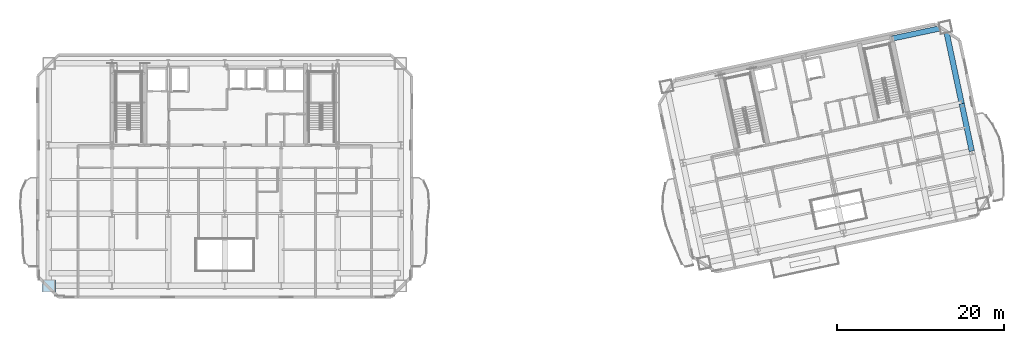
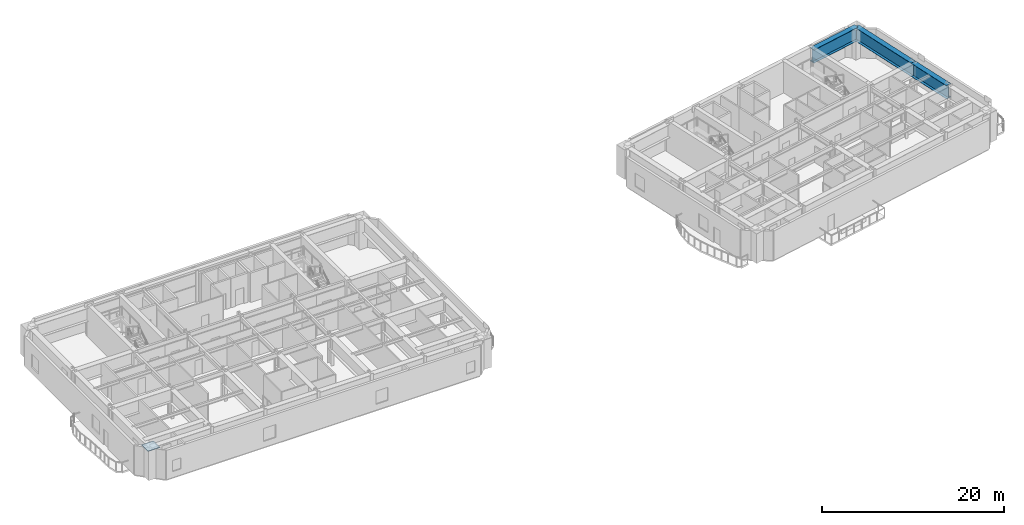
# One storey, part 4 of 15: 3 beams, 1 plate.
"""IFC4 building model written with IfcOpenShell, lengths in metres."""

from ifc_helpers import new_model, si_unit, direction, frame, origin, origin_2d, place, context, subcontext, project, spatial, rectangle, i_section, extrude, material, layer, layer_set, material_profile, profile_set, type_object, element, save


model = new_model("IFC4")

# Units and contexts
model_context = context("Model", 3, precision=1e-05, world=origin(), true_north=direction((0.0, 1.0)))
body_context = subcontext(model_context, "Body", "Model", "MODEL_VIEW")
ifc_project = project(units=[si_unit("LENGTHUNIT", "METRE"), si_unit("AREAUNIT", "SQUARE_METRE"), si_unit("VOLUMEUNIT", "CUBIC_METRE"), si_unit("PLANEANGLEUNIT", "RADIAN"), si_unit("MASSUNIT", "GRAM", prefix="KILO")], contexts=[model_context])

# Site, building, storey
site_placement = place(None, origin())
site = spatial("IfcSite", under=ifc_project, at=site_placement, CompositionType="ELEMENT")
building_placement = place(site_placement, origin())
building = spatial("IfcBuilding", under=site, at=building_placement, Name="Haevon Station Towers", CompositionType="ELEMENT")
storey_placement = place(building_placement, frame((0.0, 0.0, 129.60009765625)))
storey = spatial("IfcBuildingStorey", under=building, at=storey_placement, Name="L35", CompositionType="ELEMENT", Elevation=129.60009765625)

# Beams
ifc_material_1 = material(Name="Steel S460", Category="steel")
ifc_material_profile = material_profile(ifc_material_1, i_section(OverallWidth=0.64990234375, OverallDepth=1.800048828125, WebThickness=0.02490234375, FlangeThickness=0.0400390625, at=origin_2d()), Name="H-1800x650x25x40")
ifc_profile_set = profile_set([ifc_material_profile], Name="Steel S460")
beam_type = type_object("IfcBeamType", Name="BM-TG1800", PredefinedType="BEAM", material=ifc_profile_set)
beam_1_placement = place(storey_placement, frame((117.349365234375, 50.954345703125, 3.0498046875), z_axis=(0.978148524343, 0.207907345532, 0.0), x_axis=(-0.207907345532, 0.978148524343, 0.0)))
element("IfcBeam", 1, at=beam_1_placement, inside=storey, type_object=beam_type, Name="BM-T2U-L35-04-04", PredefinedType="BEAM", context=body_context, shape_type="SweptSolid", body=[
    extrude(i_section(OverallWidth=0.64990234375, OverallDepth=1.800048828125, WebThickness=0.02490234375, FlangeThickness=0.0400390625, at=origin_2d()), origin(), (0.0, 0.0, 1.0), 6.550048828125),
])
beam_2_placement = place(storey_placement, frame((126.90625, 37.4970703125, 3.0498046875), z_axis=(-0.207936282142, 0.978142373363, 0.0), x_axis=(-0.978142373363, -0.207936282142, 0.0)))
element("IfcBeam", 2, at=beam_2_placement, inside=storey, type_object=beam_type, Name="BM-T2V-L35-05-02", PredefinedType="BEAM", context=body_context, shape_type="SweptSolid", body=[
    extrude(i_section(OverallWidth=0.64990234375, OverallDepth=1.800048828125, WebThickness=0.02490234375, FlangeThickness=0.0400390625, at=origin_2d()), origin(), (0.0, 0.0, 1.0), 5.800048828125),
])
beam_3_placement = place(storey_placement, frame((125.7001953125, 43.17041015625, 3.0498046875), z_axis=(-0.207897167074, 0.978150687738, 0.0), x_axis=(-0.978150687738, -0.207897167074, 0.0)))
element("IfcBeam", 3, at=beam_3_placement, inside=storey, type_object=beam_type, Name="BM-T2V-L35-05-03", PredefinedType="BEAM", context=body_context, shape_type="SweptSolid", body=[
    extrude(i_section(OverallWidth=0.64990234375, OverallDepth=1.800048828125, WebThickness=0.02490234375, FlangeThickness=0.0400390625, at=origin_2d()), origin(), (0.0, 0.0, 1.0), 9.35009765625),
])

# Plate
ifc_material_2 = material(Name="PL-FLG1", Category="steel")
ifc_layer = layer(ifc_material_2, 0.044921875)
ifc_layer_set = layer_set([ifc_layer], Name="PL-FLG1")
plate_type = type_object("IfcPlateType", Name="PL-FLG1", PredefinedType="USERDEFINED", material=ifc_layer_set)
plate_placement = place(storey_placement, frame((16.449951171875, 21.35009765625, 3.949951171875), z_axis=(0.0, 0.0, 1.0), x_axis=(1.0, 0.0, 0.0)))
element("IfcPlate", 4, at=plate_placement, inside=storey, type_object=plate_type, Name="PL-CAP-T1-L35-01-01", ObjectType="FLANGE_PLATE", PredefinedType="USERDEFINED", context=body_context, shape_type="SweptSolid", body=[
    extrude(rectangle(XDim=1.5400390625, YDim=1.43994140625, at=origin_2d()), origin(), (0.0, 0.0, 1.0), 0.0400390625),
])

save(model, "model.ifc")
